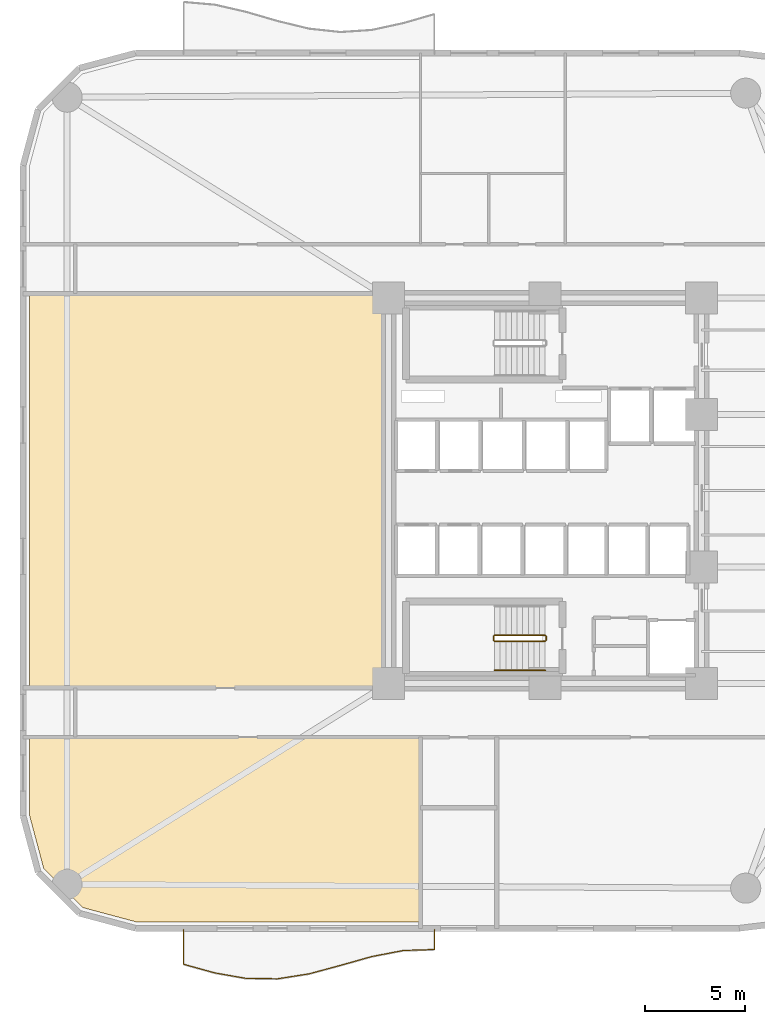
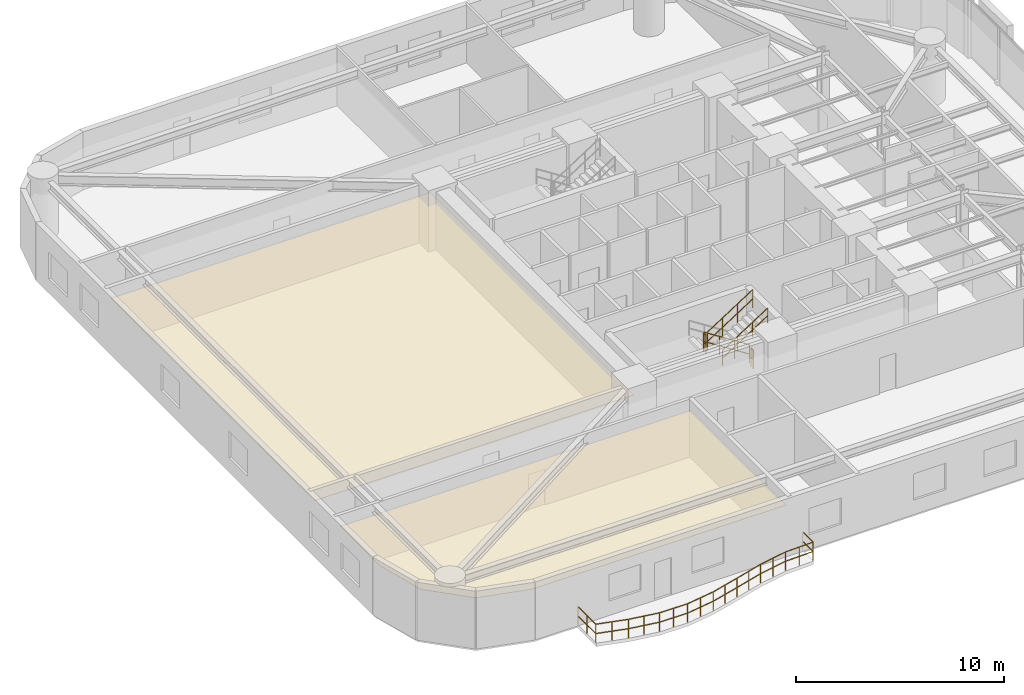
# One storey, part 13 of 15: 6 railings, 2 coverings.
"""IFC4 building model written with IfcOpenShell, lengths in metres."""

from ifc_helpers import new_model, si_unit, direction, frame, origin, origin_2d, place, context, subcontext, project, spatial, polyline, circle, outline, extrude, material, layer, layer_set, type_object, element, save


model = new_model("IFC4")

# Units and contexts
model_context = context("Model", 3, precision=1e-05, world=origin(), true_north=direction((0.0, 1.0)))
body_context = subcontext(model_context, "Body", "Model", "MODEL_VIEW")
ifc_project = project(units=[si_unit("LENGTHUNIT", "METRE"), si_unit("AREAUNIT", "SQUARE_METRE"), si_unit("VOLUMEUNIT", "CUBIC_METRE"), si_unit("PLANEANGLEUNIT", "RADIAN"), si_unit("MASSUNIT", "GRAM", prefix="KILO")], contexts=[model_context])

# Site, building, storey
site_placement = place(None, origin())
site = spatial("IfcSite", under=ifc_project, at=site_placement, CompositionType="ELEMENT")
building_placement = place(site_placement, origin())
building = spatial("IfcBuilding", under=site, at=building_placement, Name="An Khanh Terracotta Commons", CompositionType="ELEMENT")
storey_placement = place(building_placement, frame((0.0, 0.0, 61.199951171875)))
storey = spatial("IfcBuildingStorey", under=building, at=storey_placement, Name="L16", CompositionType="ELEMENT", Elevation=61.199951171875)

# Coverings
ifc_material_1 = material(Name="Perforated Mineral-Fibre Acoustic Tile")
ifc_layer = layer(ifc_material_1, 0.02001953125, Name="Perforated Mineral-Fibre Acoustic Tile")
ifc_layer_set = layer_set([ifc_layer], Name="Perforated Mineral-Fibre Acoustic Tile")
covering_type = type_object("IfcCoveringType", Name="CEIL-ACOUSTIC-18", PredefinedType="CEILING", material=ifc_layer_set)
covering_1_placement = place(storey_placement, frame((0.0, 0.0, 2.650146484375)))
element("IfcCovering", 1, at=covering_1_placement, inside=storey, type_object=covering_type, Name="L16 Academic Seminar Room Ceiling", PredefinedType="CEILING", context=body_context, shape_type="SweptSolid", body=[
    extrude(outline(polyline([(9.0419921875, 2.52001953125), (6.365966796875, 3.237060546875), (4.43701171875, 5.166015625), (3.719970703125, 7.842041015625), (3.719970703125, 11.719970703125), (6.0, 11.719970703125), (23.199951171875, 11.719970703125), (23.199951171875, 8.199951171875), (23.199951171875, 2.52001953125), (9.0419921875, 2.52001953125)])), origin(), (0.0, 0.0, 1.0), 0.02001953125),
])
covering_2_placement = place(storey_placement, frame((0.0, 0.0, 2.650146484375)))
element("IfcCovering", 2, at=covering_2_placement, inside=storey, type_object=covering_type, Name="L16 Riverfront Reading Hall Ceiling", PredefinedType="CEILING", context=body_context, shape_type="SweptSolid", body=[
    extrude(outline(polyline([(3.719970703125, 33.820068359375), (6.0, 33.820068359375), (21.47998046875, 33.820068359375), (21.47998046875, 33.719970703125), (21.47998046875, 14.280029296875), (21.47998046875, 14.179931640625), (6.0, 14.179931640625), (3.719970703125, 14.179931640625), (3.719970703125, 33.820068359375)])), origin(), (0.0, 0.0, 1.0), 0.02001953125),
])

# Railings
ifc_material_2 = material(Name="Brushed Stainless Steel 316", Category="steel")
railing_type_1 = type_object("IfcRailingType", Name="RAIL-BALUSTRADE-1100", PredefinedType="BALUSTRADE", material=ifc_material_2)
railing_1_placement = place(storey_placement, frame((11.39990234375, 2.139892578125, 0.0)))
element("IfcRailing", 3, at=railing_1_placement, inside=storey, type_object=railing_type_1, Name="L16 S Wave Balcony Guard Balustrade", PredefinedType="BALUSTRADE", context=body_context, shape_type="SweptSolid", body=[
    extrude(circle(Radius=0.02392578125, at=origin_2d()), frame((0.0, 0.0, 1.076171875), z_axis=(0.0, -1.0, 0.0), x_axis=(1.0, 0.0, 0.0)), (0.0, 0.0, 1.0), 1.72998046875),
    extrude(circle(Radius=0.02392578125, at=origin_2d()), frame((0.0, 0.0, 0.52587890625), z_axis=(0.0, -1.0, 0.0), x_axis=(1.0, 0.0, 0.0)), (0.0, 0.0, 1.0), 1.72998046875),
    extrude(circle(Radius=0.02392578125, at=origin_2d()), frame((0.0, -1.72998046875, 1.076171875), z_axis=(0.963879403695, -0.266339060471, 0.0), x_axis=(0.266339060471, 0.963879403695, 0.0)), (0.0, 0.0, 1.0), 1.62158203125),
    extrude(circle(Radius=0.02392578125, at=origin_2d()), frame((0.0, -1.72998046875, 0.52587890625), z_axis=(0.963879403695, -0.266339060471, 0.0), x_axis=(0.266339060471, 0.963879403695, 0.0)), (0.0, 0.0, 1.0), 1.62158203125),
    extrude(circle(Radius=0.02392578125, at=origin_2d()), frame((1.56298828125, -2.161865234375, 1.076171875), z_axis=(0.984968974178, -0.172731351833, 0.0), x_axis=(0.172731351833, 0.984968974178, 0.0)), (0.0, 0.0, 1.0), 1.5859375),
    extrude(circle(Radius=0.02392578125, at=origin_2d()), frame((1.56298828125, -2.161865234375, 0.52587890625), z_axis=(0.984968974178, -0.172731351833, 0.0), x_axis=(0.172731351833, 0.984968974178, 0.0)), (0.0, 0.0, 1.0), 1.5859375),
    extrude(circle(Radius=0.02392578125, at=origin_2d()), frame((3.125, -2.435791015625, 1.076171875), z_axis=(0.999940153518, -0.010940264262, 0.0), x_axis=(0.010940264262, 0.999940153518, 0.0)), (0.0, 0.0, 1.0), 1.56201171875),
    extrude(circle(Radius=0.02392578125, at=origin_2d()), frame((3.125, -2.435791015625, 0.52587890625), z_axis=(0.999940153518, -0.010940264262, 0.0), x_axis=(0.010940264262, 0.999940153518, 0.0)), (0.0, 0.0, 1.0), 1.56201171875),
    extrude(circle(Radius=0.02392578125, at=origin_2d()), frame((4.68701171875, -2.452880859375, 1.076171875), z_axis=(0.987735428763, 0.156136871901, 0.0), x_axis=(-0.156136871901, 0.987735428763, 0.0)), (0.0, 0.0, 1.0), 1.582275390625),
    extrude(circle(Radius=0.02392578125, at=origin_2d()), frame((4.68701171875, -2.452880859375, 0.52587890625), z_axis=(0.987735428763, 0.156136871901, 0.0), x_axis=(-0.156136871901, 0.987735428763, 0.0)), (0.0, 0.0, 1.0), 1.582275390625),
    extrude(circle(Radius=0.02392578125, at=origin_2d()), frame((6.25, -2.205810546875, 1.076171875), z_axis=(0.965560366071, 0.260179129588, 0.0), x_axis=(-0.260179129588, 0.965560366071, 0.0)), (0.0, 0.0, 1.0), 1.61767578125),
    extrude(circle(Radius=0.02392578125, at=origin_2d()), frame((6.25, -2.205810546875, 0.52587890625), z_axis=(0.965560366071, 0.260179129588, 0.0), x_axis=(-0.260179129588, 0.965560366071, 0.0)), (0.0, 0.0, 1.0), 1.61767578125),
    extrude(circle(Radius=0.02392578125, at=origin_2d()), frame((7.81201171875, -1.784912109375, 1.076171875), z_axis=(0.962437589726, 0.271503012659, 0.0), x_axis=(-0.271503012659, 0.962437589726, 0.0)), (0.0, 0.0, 1.0), 1.6240234375),
    extrude(circle(Radius=0.02392578125, at=origin_2d()), frame((7.81201171875, -1.784912109375, 0.52587890625), z_axis=(0.962437589726, 0.271503012659, 0.0), x_axis=(-0.271503012659, 0.962437589726, 0.0)), (0.0, 0.0, 1.0), 1.6240234375),
    extrude(circle(Radius=0.02392578125, at=origin_2d()), frame((9.375, -1.343994140625, 1.076171875), z_axis=(0.982045838822, 0.188642440749, 0.0), x_axis=(-0.188642440749, 0.982045838822, 0.0)), (0.0, 0.0, 1.0), 1.590576171875),
    extrude(circle(Radius=0.02392578125, at=origin_2d()), frame((9.375, -1.343994140625, 0.52587890625), z_axis=(0.982045838822, 0.188642440749, 0.0), x_axis=(-0.188642440749, 0.982045838822, 0.0)), (0.0, 0.0, 1.0), 1.590576171875),
    extrude(circle(Radius=0.02392578125, at=origin_2d()), frame((10.93701171875, -1.0439453125, 1.076171875), z_axis=(0.999487713911, 0.032004839324, 0.0), x_axis=(-0.032004839324, 0.999487713911, 0.0)), (0.0, 0.0, 1.0), 1.563720703125),
    extrude(circle(Radius=0.02392578125, at=origin_2d()), frame((10.93701171875, -1.0439453125, 0.52587890625), z_axis=(0.999487713911, 0.032004839324, 0.0), x_axis=(-0.032004839324, 0.999487713911, 0.0)), (0.0, 0.0, 1.0), 1.563720703125),
    extrude(circle(Radius=0.02392578125, at=origin_2d()), frame((12.5, -0.993896484375, 1.076171875), z_axis=(0.0, 1.0, 0.0), x_axis=(-1.0, 0.0, 0.0)), (0.0, 0.0, 1.0), 0.993896484375),
    extrude(circle(Radius=0.02392578125, at=origin_2d()), frame((12.5, -0.993896484375, 0.52587890625), z_axis=(0.0, 1.0, 0.0), x_axis=(-1.0, 0.0, 0.0)), (0.0, 0.0, 1.0), 0.993896484375),
    extrude(circle(Radius=0.02099609375, at=origin_2d()), origin(), (0.0, 0.0, 1.0), 1.052001953125),
    extrude(circle(Radius=0.02099609375, at=origin_2d()), frame((0.0, -0.864990234375, 0.0)), (0.0, 0.0, 1.0), 1.052001953125),
    extrude(circle(Radius=0.02099609375, at=origin_2d()), frame((0.0, -1.72998046875, 0.0)), (0.0, 0.0, 1.0), 1.052001953125),
    extrude(circle(Radius=0.02099609375, at=origin_2d()), frame((0.781494140625, -1.94580078125, 0.0)), (0.0, 0.0, 1.0), 1.052001953125),
    extrude(circle(Radius=0.02099609375, at=origin_2d()), frame((1.56298828125, -2.161865234375, 0.0)), (0.0, 0.0, 1.0), 1.052001953125),
    extrude(circle(Radius=0.02099609375, at=origin_2d()), frame((2.343994140625, -2.298828125, 0.0)), (0.0, 0.0, 1.0), 1.052001953125),
    extrude(circle(Radius=0.02099609375, at=origin_2d()), frame((3.125, -2.435791015625, 0.0)), (0.0, 0.0, 1.0), 1.052001953125),
    extrude(circle(Radius=0.02099609375, at=origin_2d()), frame((3.906005859375, -2.4443359375, 0.0)), (0.0, 0.0, 1.0), 1.052001953125),
    extrude(circle(Radius=0.02099609375, at=origin_2d()), frame((4.68701171875, -2.452880859375, 0.0)), (0.0, 0.0, 1.0), 1.052001953125),
    extrude(circle(Radius=0.02099609375, at=origin_2d()), frame((5.468505859375, -2.329345703125, 0.0)), (0.0, 0.0, 1.0), 1.052001953125),
    extrude(circle(Radius=0.02099609375, at=origin_2d()), frame((6.25, -2.205810546875, 0.0)), (0.0, 0.0, 1.0), 1.052001953125),
    extrude(circle(Radius=0.02099609375, at=origin_2d()), frame((7.031005859375, -1.995361328125, 0.0)), (0.0, 0.0, 1.0), 1.052001953125),
    extrude(circle(Radius=0.02099609375, at=origin_2d()), frame((7.81201171875, -1.784912109375, 0.0)), (0.0, 0.0, 1.0), 1.052001953125),
    extrude(circle(Radius=0.02099609375, at=origin_2d()), frame((8.593505859375, -1.564453125, 0.0)), (0.0, 0.0, 1.0), 1.052001953125),
    extrude(circle(Radius=0.02099609375, at=origin_2d()), frame((9.375, -1.343994140625, 0.0)), (0.0, 0.0, 1.0), 1.052001953125),
    extrude(circle(Radius=0.02099609375, at=origin_2d()), frame((10.156005859375, -1.19384765625, 0.0)), (0.0, 0.0, 1.0), 1.052001953125),
    extrude(circle(Radius=0.02099609375, at=origin_2d()), frame((10.93701171875, -1.0439453125, 0.0)), (0.0, 0.0, 1.0), 1.052001953125),
    extrude(circle(Radius=0.02099609375, at=origin_2d()), frame((11.718505859375, -1.01904296875, 0.0)), (0.0, 0.0, 1.0), 1.052001953125),
    extrude(circle(Radius=0.02099609375, at=origin_2d()), frame((12.5, -0.993896484375, 0.0)), (0.0, 0.0, 1.0), 1.052001953125),
    extrude(circle(Radius=0.02099609375, at=origin_2d()), frame((12.5, 0.0, 0.0)), (0.0, 0.0, 1.0), 1.052001953125),
])
railing_type_2 = type_object("IfcRailingType", Name="RAIL-HANDRAIL-900", PredefinedType="HANDRAIL", material=ifc_material_2)
railing_2_placement = place(storey_placement, frame((26.889892578125, 15.050048828125, 1.97998046875)))
element("IfcRailing", 4, at=railing_2_placement, inside=storey, type_object=railing_type_2, Name="L16 ST-02 stair handrail 2", PredefinedType="HANDRAIL", context=body_context, shape_type="SweptSolid", body=[
    extrude(circle(Radius=0.02392578125, at=origin_2d()), frame((0.0, 0.0, 0.8759765625), z_axis=(0.841162588446, 0.0, 0.540782303519), x_axis=(0.0, 1.0, 0.0)), (0.0, 0.0, 1.0), 2.995849609375),
    extrude(circle(Radius=0.02392578125, at=origin_2d()), frame((0.0, 0.0, 0.42578125), z_axis=(0.841162588446, 0.0, 0.540782303519), x_axis=(0.0, 1.0, 0.0)), (0.0, 0.0, 1.0), 2.995849609375),
    extrude(circle(Radius=0.02099609375, at=origin_2d()), origin(), (0.0, 0.0, 1.0), 0.851806640625),
    extrude(circle(Radius=0.02099609375, at=origin_2d()), frame((0.840087890625, 0.0, 0.5400390625)), (0.0, 0.0, 1.0), 0.851806640625),
    extrude(circle(Radius=0.02099609375, at=origin_2d()), frame((1.679931640625, 0.0, 1.080078125)), (0.0, 0.0, 1.0), 0.851806640625),
    extrude(circle(Radius=0.02099609375, at=origin_2d()), frame((2.52001953125, 0.0, 1.6201171875)), (0.0, 0.0, 1.0), 0.851806640625),
])
ifc_material_3 = material(Name="Powder-Coated Steel S355J2", Category="steel")
railing_type_3 = type_object("IfcRailingType", Name="RAIL-STAIR-GUARD-1100", PredefinedType="BALUSTRADE", material=ifc_material_3)
railing_3_placement = place(storey_placement, frame((29.409912109375, 16.800048828125, 0.179931640625)))
element("IfcRailing", 5, at=railing_3_placement, inside=storey, type_object=railing_type_3, Name="L16 ST-02 stair guard 1", PredefinedType="BALUSTRADE", context=body_context, shape_type="SweptSolid", body=[
    extrude(circle(Radius=0.02392578125, at=origin_2d()), frame((0.0, 0.0, 1.076171875), z_axis=(-0.841162588446, 0.0, 0.540782303519), x_axis=(0.0, -1.0, 0.0)), (0.0, 0.0, 1.0), 2.995849609375),
    extrude(circle(Radius=0.02392578125, at=origin_2d()), frame((0.0, 0.0, 0.52587890625), z_axis=(-0.841162588446, 0.0, 0.540782303519), x_axis=(0.0, -1.0, 0.0)), (0.0, 0.0, 1.0), 2.995849609375),
    extrude(circle(Radius=0.02099609375, at=origin_2d()), origin(), (0.0, 0.0, 1.0), 1.052001953125),
    extrude(circle(Radius=0.02099609375, at=origin_2d()), frame((-0.840087890625, 0.0, 0.5400390625)), (0.0, 0.0, 1.0), 1.052001953125),
    extrude(circle(Radius=0.02099609375, at=origin_2d()), frame((-1.679931640625, 0.0, 1.080078125)), (0.0, 0.0, 1.0), 1.052001953125),
    extrude(circle(Radius=0.02099609375, at=origin_2d()), frame((-2.52001953125, 0.0, 1.6201171875)), (0.0, 0.0, 1.0), 1.052001953125),
])
railing_4_placement = place(storey_placement, frame((26.840087890625, 16.75, 1.800048828125)))
element("IfcRailing", 6, at=railing_4_placement, inside=storey, type_object=railing_type_3, Name="L16 ST-02 stair guard 2", PredefinedType="BALUSTRADE", context=body_context, shape_type="SweptSolid", body=[
    extrude(circle(Radius=0.02392578125, at=origin_2d()), frame((0.0, 0.0, 1.076171875), z_axis=(0.0, -1.0, 0.0), x_axis=(1.0, 0.0, 0.0)), (0.0, 0.0, 1.0), 0.199951171875),
    extrude(circle(Radius=0.02392578125, at=origin_2d()), frame((0.0, 0.0, 0.52587890625), z_axis=(0.0, -1.0, 0.0), x_axis=(1.0, 0.0, 0.0)), (0.0, 0.0, 1.0), 0.199951171875),
    extrude(circle(Radius=0.02099609375, at=origin_2d()), origin(), (0.0, 0.0, 1.0), 1.052001953125),
    extrude(circle(Radius=0.02099609375, at=origin_2d()), frame((0.0, -0.199951171875, 0.0)), (0.0, 0.0, 1.0), 1.052001953125),
])
railing_5_placement = place(storey_placement, frame((26.889892578125, 16.5, 1.97998046875)))
element("IfcRailing", 7, at=railing_5_placement, inside=storey, type_object=railing_type_3, Name="L16 ST-02 stair guard 3", PredefinedType="BALUSTRADE", context=body_context, shape_type="SweptSolid", body=[
    extrude(circle(Radius=0.02392578125, at=origin_2d()), frame((0.0, 0.0, 1.076171875), z_axis=(0.841162588446, 0.0, 0.540782303519), x_axis=(0.0, 1.0, 0.0)), (0.0, 0.0, 1.0), 2.995849609375),
    extrude(circle(Radius=0.02392578125, at=origin_2d()), frame((0.0, 0.0, 0.52587890625), z_axis=(0.841162588446, 0.0, 0.540782303519), x_axis=(0.0, 1.0, 0.0)), (0.0, 0.0, 1.0), 2.995849609375),
    extrude(circle(Radius=0.02099609375, at=origin_2d()), origin(), (0.0, 0.0, 1.0), 1.052001953125),
    extrude(circle(Radius=0.02099609375, at=origin_2d()), frame((0.840087890625, 0.0, 0.5400390625)), (0.0, 0.0, 1.0), 1.052001953125),
    extrude(circle(Radius=0.02099609375, at=origin_2d()), frame((1.679931640625, 0.0, 1.080078125)), (0.0, 0.0, 1.0), 1.052001953125),
    extrude(circle(Radius=0.02099609375, at=origin_2d()), frame((2.52001953125, 0.0, 1.6201171875)), (0.0, 0.0, 1.0), 1.052001953125),
])
railing_6_placement = place(storey_placement, frame((29.4599609375, 16.75, 0.0)))
element("IfcRailing", 8, at=railing_6_placement, inside=storey, type_object=railing_type_3, Name="L16 ST-02 stair guard 4", PredefinedType="BALUSTRADE", context=body_context, shape_type="SweptSolid", body=[
    extrude(circle(Radius=0.02392578125, at=origin_2d()), frame((0.0, 0.0, 1.076171875), z_axis=(0.0, -1.0, 0.0), x_axis=(1.0, 0.0, 0.0)), (0.0, 0.0, 1.0), 0.199951171875),
    extrude(circle(Radius=0.02392578125, at=origin_2d()), frame((0.0, 0.0, 0.52587890625), z_axis=(0.0, -1.0, 0.0), x_axis=(1.0, 0.0, 0.0)), (0.0, 0.0, 1.0), 0.199951171875),
    extrude(circle(Radius=0.02099609375, at=origin_2d()), origin(), (0.0, 0.0, 1.0), 1.052001953125),
    extrude(circle(Radius=0.02099609375, at=origin_2d()), frame((0.0, -0.199951171875, 0.0)), (0.0, 0.0, 1.0), 1.052001953125),
])

save(model, "model.ifc")
